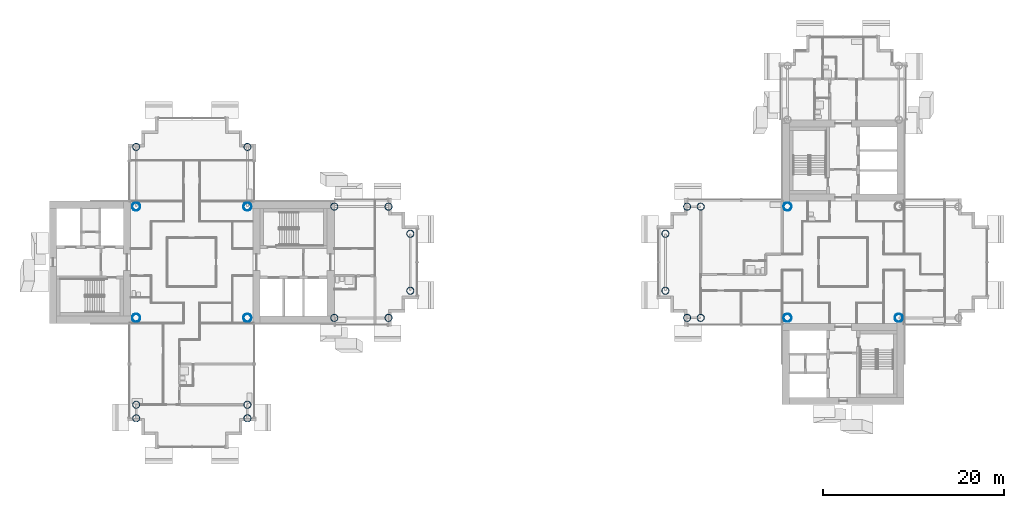
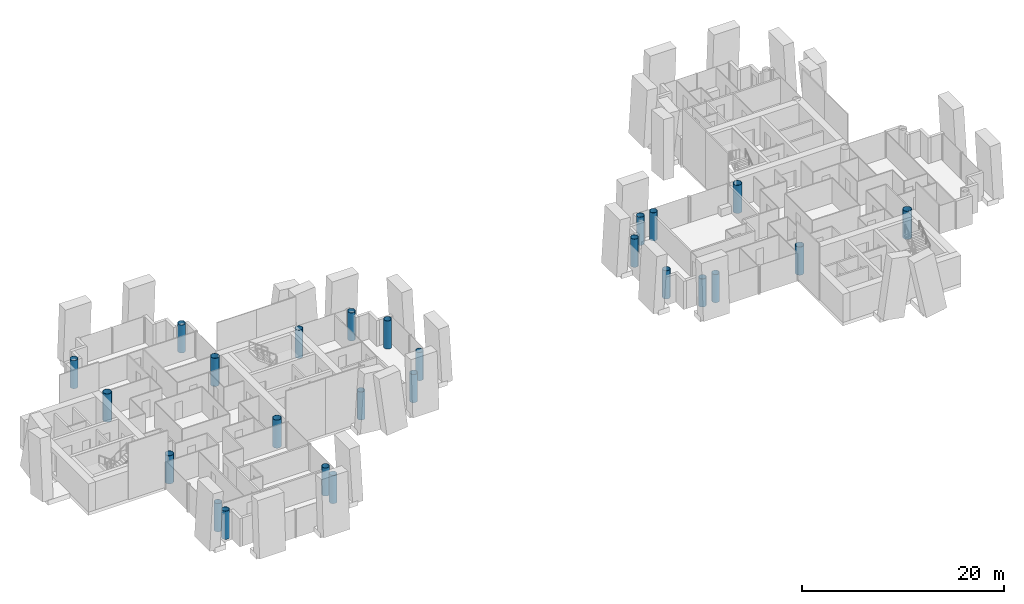
# One storey, part 1 of 18: 25 columns.
"""IFC4 building model written with IfcOpenShell, lengths in metres."""

import ifcopenshell
import ifcopenshell.guid

model = None  # the IFC model being written
_history = None  # IfcOwnerHistory: only IFC2X3 demands one
_inside = {}  # id of a spatial element -> (the spatial element, [elements in it])
_under = {}  # id of a project, library or spatial element -> (it, [spatial elements below it])
_declared = {}  # id of a project -> (the project, [libraries it declares])
_typed = {}  # id of a type object -> (the type object, [elements of that type])
_made_of = {}  # id of a material, layer set ... -> (it, [elements and type objects made of it])


def new_model(schema):
    """Start an empty IFC model of exactly this schema.

    Asked for "IFC4X3", IfcOpenShell would pick the latest addendum, in which some entities
    have other attributes; the version numbers below select the first issue.
    IFC2X3 requires an IfcOwnerHistory on every rooted entity: one is made here for all.
    """
    global model, _history
    if schema == "IFC4X3":
        model = ifcopenshell.file(schema_version=(4, 3, 0, 0))
    else:
        model = ifcopenshell.file(schema=schema)
    _inside.clear()
    _under.clear()
    _declared.clear()
    _typed.clear()
    _made_of.clear()
    _history = None
    if model.schema == "IFC2X3":
        org = make("IfcOrganization", Name="unknown")
        user = make(
            "IfcPersonAndOrganization",
            ThePerson=make("IfcPerson", FamilyName="unknown"),
            TheOrganization=org,
        )
        app = make(
            "IfcApplication",
            ApplicationDeveloper=org,
            Version="unknown",
            ApplicationFullName="unknown",
            ApplicationIdentifier="unknown",
        )
        _history = make(
            "IfcOwnerHistory",
            OwningUser=user,
            OwningApplication=app,
            ChangeAction="ADDED",
            CreationDate=0,
        )
    return model


def make(cls, **values):
    """One entity of the class cls with the attributes given. An attribute that is None is left unset."""
    return model.create_entity(
        cls, **{name: value for name, value in values.items() if value is not None}
    )


def rooted(cls, **values):
    """An entity with a GlobalId (a new one), such as an element, a storey or a relation."""
    return make(cls, GlobalId=ifcopenshell.guid.new(), OwnerHistory=_history, **values)


def si_unit(unit_type, name, prefix=None):
    """IfcSIUnit, for example si_unit("LENGTHUNIT", "METRE", prefix="MILLI")."""
    return make("IfcSIUnit", UnitType=unit_type, Prefix=prefix, Name=name)


def assignment(units):
    """IfcUnitAssignment: the units of a project."""
    return None if units is None else make("IfcUnitAssignment", Units=units)


def point(xyz):
    """IfcCartesianPoint."""
    return None if xyz is None else make("IfcCartesianPoint", Coordinates=xyz)


def direction(xyz):
    """IfcDirection."""
    return None if xyz is None else make("IfcDirection", DirectionRatios=xyz)


def frame(location, z_axis=None, x_axis=None):
    """IfcAxis2Placement3D, a coordinate frame: its origin and axes. An axis left out is left unset."""
    return make(
        "IfcAxis2Placement3D",
        Location=point(location),
        Axis=direction(z_axis),
        RefDirection=direction(x_axis),
    )


def frame_2d(location, x_axis=None):
    """IfcAxis2Placement2D, a coordinate frame in the plane: its origin and x axis."""
    return make(
        "IfcAxis2Placement2D", Location=point(location), RefDirection=direction(x_axis)
    )


def origin():
    """The frame at (0, 0, 0) with its axes left unset."""
    return frame((0.0, 0.0, 0.0))


def origin_2d():
    """The frame at (0, 0) in the plane with its x axis left unset."""
    return frame_2d((0.0, 0.0))


def place(relative_to, where):
    """IfcLocalPlacement: puts the frame where relative to a parent placement (None: the world)."""
    return make(
        "IfcLocalPlacement", PlacementRelTo=relative_to, RelativePlacement=where
    )


def context(
    kind, dimensions, precision=None, world=None, true_north=None, identifier=None
):
    """IfcGeometricRepresentationContext, for example the 3D "Model" context."""
    return make(
        "IfcGeometricRepresentationContext",
        ContextIdentifier=identifier,
        ContextType=kind,
        CoordinateSpaceDimension=dimensions,
        Precision=precision,
        WorldCoordinateSystem=world,
        TrueNorth=true_north,
    )


def subcontext(parent, identifier, kind, view, scale=None):
    """IfcGeometricRepresentationSubContext, for example "Body" below "Model"."""
    return make(
        "IfcGeometricRepresentationSubContext",
        ContextIdentifier=identifier,
        ContextType=kind,
        ParentContext=parent,
        TargetScale=scale,
        TargetView=view,
    )


def project(units=None, contexts=None):
    """IfcProject with its units and contexts."""
    return rooted(
        "IfcProject",
        Name="project",
        RepresentationContexts=contexts,
        UnitsInContext=assignment(units),
    )


def spatial(cls, under=None, at=None, **own):
    """A site, building, storey or space (cls), placed at a placement, below another one or the project."""
    s = rooted(cls, ObjectPlacement=at, **own)
    if under is not None:
        _under.setdefault(under.id(), (under, []))[1].append(s)
    return s


def profile(cls, at=None, kind="AREA", **sizes):
    """A parametric profile (cls). Its sizes go by their IFC names, for example OverallWidth=200.0."""
    return make(cls, ProfileType=kind, Position=at, **sizes)


def hollow_circle(**sizes):
    """IfcCircleHollowProfileDef."""
    return profile("IfcCircleHollowProfileDef", **sizes)


def extrude(swept, where, along, depth):
    """IfcExtrudedAreaSolid: the profile swept, set in the frame where, extruded along a direction by depth."""
    return make(
        "IfcExtrudedAreaSolid",
        SweptArea=swept,
        Position=where,
        ExtrudedDirection=direction(along),
        Depth=depth,
    )


def shape(context_of_items, identifier, shape_type, items):
    """IfcShapeRepresentation: the items that make up one representation, for example the "Body"."""
    return make(
        "IfcShapeRepresentation",
        ContextOfItems=context_of_items,
        RepresentationIdentifier=identifier,
        RepresentationType=shape_type,
        Items=items,
    )


def material(Name=None, Category=None):
    """IfcMaterial."""
    return make("IfcMaterial", Name=Name, Category=Category)


def material_profile(
    of_material, cross_section, Name=None, Category=None, Priority=None
):
    """IfcMaterialProfile: a cross section and its material."""
    return make(
        "IfcMaterialProfile",
        Name=Name,
        Material=of_material,
        Profile=cross_section,
        Priority=Priority,
        Category=Category,
    )


def profile_set(profiles, Name=None, composite=None):
    """IfcMaterialProfileSet."""
    return make(
        "IfcMaterialProfileSet",
        Name=Name,
        MaterialProfiles=profiles,
        CompositeProfile=composite,
    )


def made_of(thing, what):
    """Note that an element or type object is made of a material, layer set ...; save() writes the relation."""
    if what is not None:
        _made_of.setdefault(what.id(), (what, []))[1].append(thing)
    return thing


def type_object(cls, material=None, **own):
    """A type object (cls), such as IfcWallType, which elements share."""
    return made_of(rooted(cls, **own), material)


def element(
    cls,
    number,
    at=None,
    inside=None,
    cuts=None,
    type_object=None,
    material=None,
    context=None,
    identifier="Body",
    shape_type=None,
    held_by="IfcProductDefinitionShape",
    body=None,
    shapes=None,
    **own,
):
    """One element of the class cls, such as IfcWall. Its Tag is "e" and its number.

    at: its placement. inside: the storey or other place that contains it. cuts: it is an
    opening in that element (IfcRelVoidsElement). A single representation is given by context,
    identifier, shape_type and body (its items); several are given by shapes. held_by: the class
    of the entity that holds the representations. save() writes the other relations.
    """
    e = rooted(cls, Tag="e%d" % number, ObjectPlacement=at, **own)
    if body is not None:
        shapes = [shape(context, identifier, shape_type, body)]
    if shapes is not None:
        e.Representation = make(held_by, Representations=shapes)
    if inside is not None:
        _inside.setdefault(inside.id(), (inside, []))[1].append(e)
    if cuts is not None:
        rooted(
            "IfcRelVoidsElement", RelatingBuildingElement=cuts, RelatedOpeningElement=e
        )
    if type_object is not None:
        _typed.setdefault(type_object.id(), (type_object, []))[1].append(e)
    return made_of(e, material)


def aggregate(whole, parts):
    """IfcRelAggregates: a whole, such as a stair, and the parts it consists of."""
    return rooted("IfcRelAggregates", RelatingObject=whole, RelatedObjects=parts)


def save(model, path):
    """Write the relations noted so far, then the file.

    IfcRelAggregates (storeys below a building ...), IfcRelContainedInSpatialStructure (elements
    in a storey), IfcRelDefinesByType, IfcRelAssociatesMaterial and IfcRelDeclares: one each for
    every whole, place, type object, material and project.
    """
    for whole, parts in _under.values():
        aggregate(whole, parts)
    for where, things in _inside.values():
        rooted(
            "IfcRelContainedInSpatialStructure",
            RelatedElements=things,
            RelatingStructure=where,
        )
    for kind, things in _typed.values():
        rooted("IfcRelDefinesByType", RelatedObjects=things, RelatingType=kind)
    for what, things in _made_of.values():
        rooted("IfcRelAssociatesMaterial", RelatedObjects=things, RelatingMaterial=what)
    for by, libraries in _declared.values():
        rooted("IfcRelDeclares", RelatingContext=by, RelatedDefinitions=libraries)
    model.write(path)


model = new_model("IFC4")

# Units and contexts
model_context = context("Model", 3, precision=1e-05, world=origin(), true_north=direction((0.0, 1.0)))
body_context = subcontext(model_context, "Body", "Model", "MODEL_VIEW")
ifc_project = project(units=[si_unit("LENGTHUNIT", "METRE"), si_unit("AREAUNIT", "SQUARE_METRE"), si_unit("VOLUMEUNIT", "CUBIC_METRE"), si_unit("PLANEANGLEUNIT", "RADIAN"), si_unit("MASSUNIT", "GRAM", prefix="KILO")], contexts=[model_context])

# Site, building, storey
site_placement = place(None, origin())
site = spatial("IfcSite", under=ifc_project, at=site_placement, CompositionType="ELEMENT")
building_placement = place(site_placement, origin())
building = spatial("IfcBuilding", under=site, at=building_placement, Name="Ipe Terrace Towers", CompositionType="ELEMENT")
storey_placement = place(building_placement, frame((0.0, 0.0, 143.89990234375)))
storey = spatial("IfcBuildingStorey", under=building, at=storey_placement, Name="L39", CompositionType="ELEMENT", Elevation=143.89990234375)

# Columns
ifc_material_1 = material(Name="Steel S355 tube with Concrete C60/75 fill", Category="concrete")
ifc_material_profile_1 = material_profile(ifc_material_1, hollow_circle(Radius=0.39990234375, WallThickness=0.028076171875, at=origin_2d()), Name="CHS-800x28")
ifc_profile_set_1 = profile_set([ifc_material_profile_1], Name="Steel S355 tube with Concrete C60/75 fill")
column_type_1 = type_object("IfcColumnType", Name="CH09 COLUMN CHS-800x28", PredefinedType="COLUMN", material=ifc_profile_set_1)
for number, where, z_axis, x_axis, name in (
    (1, (-20.25, -6.14990234375, 0.0), (0.0, 0.0, 1.0), (1.0, 0.0, 0.0), "Column T1-C-A01"),
    (2, (-20.25, 6.14990234375, 0.0), (0.0, 0.0, 1.0), (1.0, 0.0, 0.0), "Column T1-C-A02"),
    (3, (-14.25, -6.14990234375, 0.0), (0.0, 0.0, 1.0), (1.0, 0.0, 0.0), "Column T1-C-A03"),
    (4, (-14.25, 6.14990234375, 0.0), (0.0, 0.0, 1.0), (1.0, 0.0, 0.0), "Column T1-C-A04"),
    (5, (-11.85009765625, -3.14990234375, 0.0), (0.0, 0.0, 1.0), (1.0, 0.0, 0.0), "Column T1-C-A05"),
    (6, (-11.85009765625, 3.14990234375, 0.0), (0.0, 0.0, 1.0), (1.0, 0.0, 0.0), "Column T1-C-A06"),
    (7, (-29.85009765625, 12.75, 0.0), (0.0, 0.0, 1.0), (1.0, 0.0, 0.0), "Column T1-C-B01"),
    (8, (-42.14990234375, 12.75, 0.0), (0.0, 0.0, 1.0), (1.0, 0.0, 0.0), "Column T1-C-B02"),
    (9, (-42.14990234375, -15.75, 0.0), (0.0, 0.0, 1.0), (1.0, 0.0, 0.0), "Column T1-C-D03"),
    (10, (-29.85009765625, -15.75, 0.0), (0.0, 0.0, 1.0), (1.0, 0.0, 0.0), "Column T1-C-D04"),
    (11, (-42.14990234375, -17.25, 0.0), (0.0, 0.0, 1.0), (1.0, 0.0, 0.0), "Column T1-C-D05"),
    (12, (-29.85009765625, -17.25, 0.0), (0.0, 0.0, 1.0), (1.0, 0.0, 0.0), "Column T1-C-D06"),
    (13, (20.25, 6.14990234375, 0.0), (0.0, 0.0, 1.0), (1.0, 0.0, 0.0), "Column T2-C-B03"),
    (14, (20.25, -6.14990234375, 0.0), (0.0, 0.0, 1.0), (1.0, 0.0, 0.0), "Column T2-C-B04"),
    (15, (18.75, 6.14990234375, 0.0), (0.0, 0.0, 1.0), (1.0, 0.0, 0.0), "Column T2-C-B05"),
    (16, (18.75, -6.14990234375, 0.0), (0.0, 0.0, 1.0), (1.0, 0.0, 0.0), "Column T2-C-B06"),
    (17, (16.35009765625, 3.14990234375, 0.0), (0.0, 0.0, 1.0), (1.0, 0.0, 0.0), "Column T2-C-B07"),
    (18, (16.35009765625, -3.14990234375, 0.0), (0.0, 0.0, 1.0), (1.0, 0.0, 0.0), "Column T2-C-B08"),
):
    element("IfcColumn", number, at=place(storey_placement, frame(where, z_axis=z_axis, x_axis=x_axis)), inside=storey, type_object=column_type_1, Name=name, PredefinedType="COLUMN", context=body_context, shape_type="SweptSolid", body=[
        extrude(hollow_circle(Radius=0.39990234375, WallThickness=0.028076171875, at=origin_2d()), origin(), (0.0, 0.0, 1.0), 3.400146484375),
    ])
ifc_material_2 = material(Name="Steel S355 tube with Concrete C60/75 fill", Category="concrete")
ifc_material_profile_2 = material_profile(ifc_material_2, hollow_circle(Radius=0.449951171875, WallThickness=0.031982421875, at=origin_2d()), Name="CHS-900x32")
ifc_profile_set_2 = profile_set([ifc_material_profile_2], Name="Steel S355 tube with Concrete C60/75 fill")
column_type_2 = type_object("IfcColumnType", Name="CH10 COLUMN CHS-900x32", PredefinedType="COLUMN", material=ifc_profile_set_2)
for number, where, z_axis, x_axis, name in (
    (19, (-42.14990234375, -6.14990234375, 0.0), (0.0, 0.0, 1.0), (1.0, 0.0, 0.0), "Column T1-C-E01"),
    (20, (-29.85009765625, -6.14990234375, 0.0), (0.0, 0.0, 1.0), (1.0, 0.0, 0.0), "Column T1-C-E02"),
    (21, (-29.85009765625, 6.14990234375, 0.0), (0.0, 0.0, 1.0), (1.0, 0.0, 0.0), "Column T1-C-E03"),
    (22, (-42.14990234375, 6.14990234375, 0.0), (0.0, 0.0, 1.0), (1.0, 0.0, 0.0), "Column T1-C-E04"),
    (23, (42.14990234375, -6.14990234375, 0.0), (0.0, 0.0, 1.0), (1.0, 0.0, 0.0), "Column T2-C-E01"),
    (24, (29.85009765625, 6.14990234375, 0.0), (0.0, 0.0, 1.0), (1.0, 0.0, 0.0), "Column T2-C-E03"),
    (25, (29.85009765625, -6.14990234375, 0.0), (0.0, 0.0, 1.0), (1.0, 0.0, 0.0), "Column T2-C-E04"),
):
    element("IfcColumn", number, at=place(storey_placement, frame(where, z_axis=z_axis, x_axis=x_axis)), inside=storey, type_object=column_type_2, Name=name, PredefinedType="COLUMN", context=body_context, shape_type="SweptSolid", body=[
        extrude(hollow_circle(Radius=0.449951171875, WallThickness=0.031982421875, at=origin_2d()), origin(), (0.0, 0.0, 1.0), 3.400146484375),
    ])

save(model, "model.ifc")
